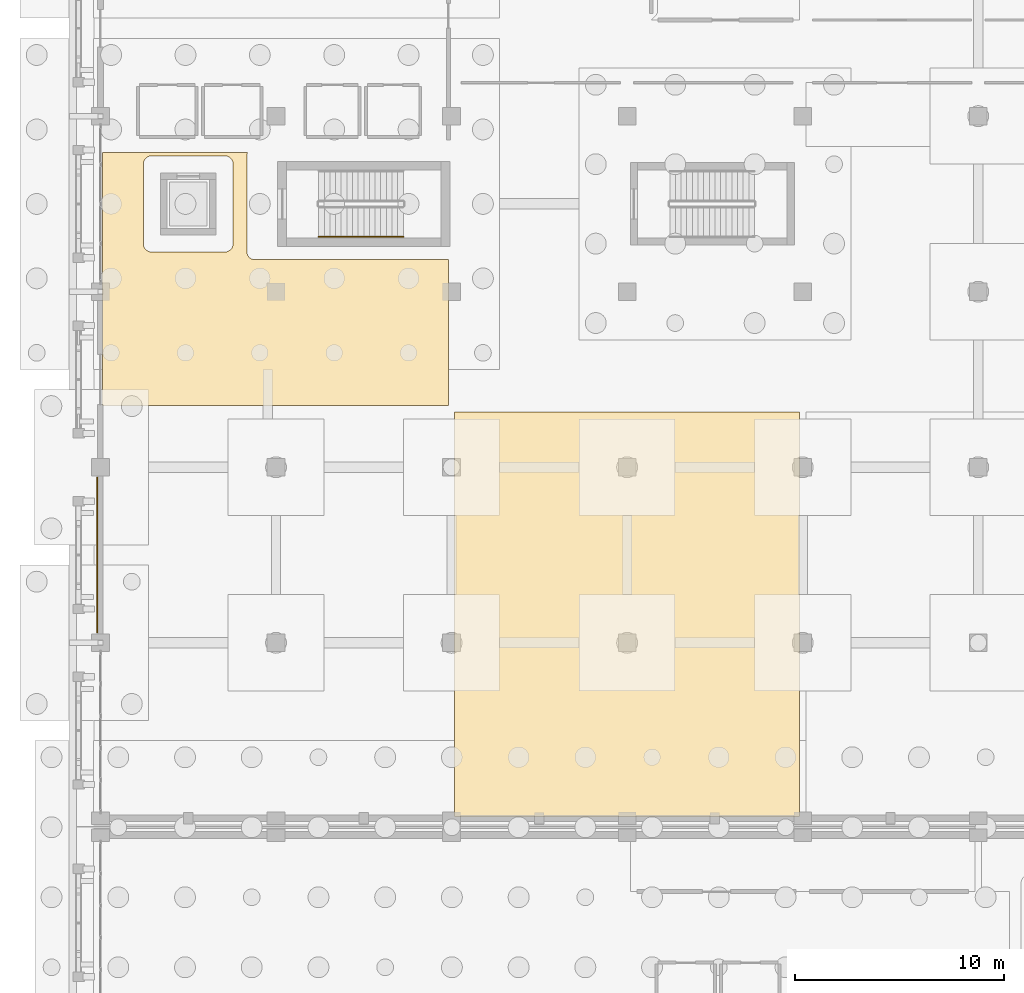
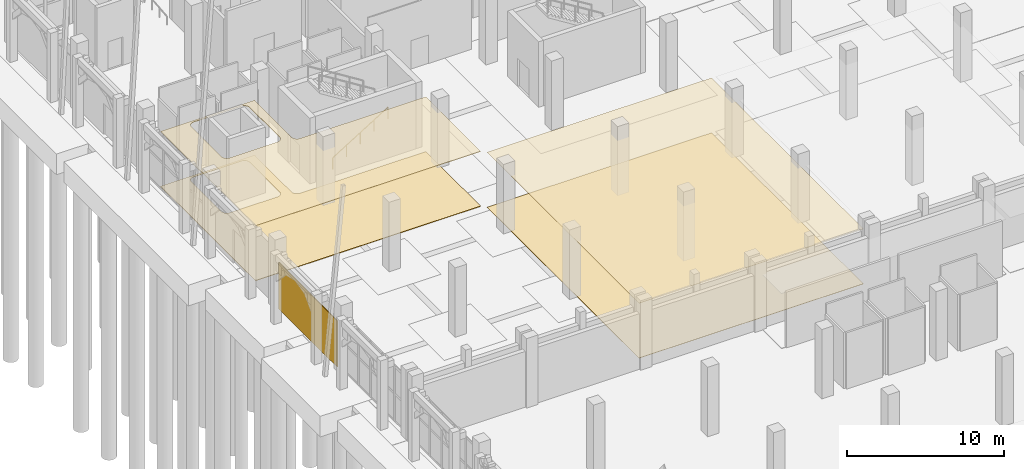
# One storey, part 86 of 98: 5 coverings, 1 railing.
"""IFC4 building model written with IfcOpenShell, lengths in metres."""

from ifc_helpers import new_model, si_unit, direction, frame, origin, origin_2d, place, context, subcontext, project, spatial, polyline, rectangle, circle, outline, extrude, material, layer, layer_set, type_object, element, save


model = new_model("IFC4")

# Units and contexts
model_context = context("Model", 3, precision=1e-05, world=origin(), true_north=direction((0.0, 1.0)))
body_context = subcontext(model_context, "Body", "Model", "MODEL_VIEW")
ifc_project = project(units=[si_unit("LENGTHUNIT", "METRE"), si_unit("AREAUNIT", "SQUARE_METRE"), si_unit("VOLUMEUNIT", "CUBIC_METRE"), si_unit("PLANEANGLEUNIT", "RADIAN"), si_unit("MASSUNIT", "GRAM", prefix="KILO")], contexts=[model_context])

# Site, building, storey
site_placement = place(None, origin())
site = spatial("IfcSite", under=ifc_project, at=site_placement, CompositionType="ELEMENT")
building_placement = place(site_placement, origin())
building = spatial("IfcBuilding", under=site, at=building_placement, Name="Xazarin Passage Department Store", CompositionType="ELEMENT")
storey_placement = place(building_placement, origin())
storey = spatial("IfcBuildingStorey", under=building, at=storey_placement, Name="L00", CompositionType="ELEMENT", Elevation=0.0)

# Coverings
ifc_material_1 = material(Name="Absheron limestone cladding", Category="masonry")
ifc_layer_1 = layer(ifc_material_1, 0.06005859375)
ifc_layer_set_1 = layer_set([ifc_layer_1], Name="Absheron limestone cladding")
covering_type_1 = type_object("IfcCoveringType", Name="ARC-COV-CLD060", PredefinedType="CLADDING", material=ifc_layer_set_1)
covering_1_placement = place(storey_placement, frame((-0.14990234375, 63.800048828125, 0.0), z_axis=(0.0, 0.0, 1.0), x_axis=(0.0, 1.0, 0.0)))
element("IfcCovering", 1, at=covering_1_placement, inside=storey, type_object=covering_type_1, Name="L00 Absheron Limestone Plinth Cladding 014", PredefinedType="CLADDING", context=body_context, shape_type="SweptSolid", body=[
    extrude(rectangle(XDim=7.449951171875, YDim=0.06005859375, at=origin_2d()), origin(), (0.0, 0.0, 1.0), 3.60009765625),
])
ifc_material_2 = material(Name="Acoustic mineral ceiling")
ifc_layer_2 = layer(ifc_material_2, 0.030029296875)
ifc_layer_set_2 = layer_set([ifc_layer_2], Name="Acoustic mineral ceiling")
covering_type_2 = type_object("IfcCoveringType", Name="ARC-COV-CLG030", PredefinedType="CEILING", material=ifc_layer_set_2)
covering_2_placement = place(storey_placement, frame((0.0, 0.0, 4.27001953125)))
element("IfcCovering", 2, at=covering_2_placement, inside=storey, type_object=covering_type_2, Name="L00 Sales Floor Acoustic Ceiling", PredefinedType="CEILING", context=body_context, shape_type="SweptSolid", body=[
    extrude(outline(polyline([(16.949951171875, 51.300048828125), (33.449951171875, 51.300048828125), (33.449951171875, 70.64990234375), (16.949951171875, 70.64990234375), (16.949951171875, 51.300048828125)])), origin(), (0.0, 0.0, 1.0), 0.030029296875),
])
ifc_layer_3 = layer(ifc_material_2, 0.0400390625)
ifc_layer_set_3 = layer_set([ifc_layer_3], Name="Acoustic mineral ceiling")
covering_type_3 = type_object("IfcCoveringType", Name="ARC-COV-CLG040", PredefinedType="CEILING", material=ifc_layer_set_3)
covering_3_placement = place(storey_placement, frame((0.0, 0.0, 4.260009765625)))
element("IfcCovering", 3, at=covering_3_placement, inside=storey, type_object=covering_type_3, Name="L00 Perfume and Jewellery Salon Acoustic Ceiling", PredefinedType="CEILING", context=body_context, shape_type="SweptSolid", body=[
    extrude(outline(polyline([(16.64990234375, 77.929931640625), (7.39990234375, 77.929931640625), (7.36083984375, 77.931884765625), (7.322021484375, 77.937744140625), (7.283935546875, 77.947265625), (7.246826171875, 77.96044921875), (7.21142578125, 77.977294921875), (7.177734375, 77.997314453125), (7.146240234375, 78.020751953125), (7.1171875, 78.047119140625), (7.0908203125, 78.076171875), (7.0673828125, 78.10791015625), (7.047119140625, 78.141357421875), (7.030517578125, 78.177001953125), (7.01708984375, 78.2138671875), (7.0078125, 78.251953125), (7.001953125, 78.290771484375), (7.0, 78.330078125), (7.0, 82.8701171875), (7.001953125, 82.9091796875), (7.0078125, 82.947998046875), (7.01708984375, 82.986083984375), (7.030517578125, 83.023193359375), (7.043212890625, 83.050048828125), (0.10009765625, 83.050048828125), (0.10009765625, 70.949951171875), (16.64990234375, 70.949951171875), (16.64990234375, 77.929931640625)]), holes=[polyline([(2.449951171875, 78.300048828125), (2.410888671875, 78.302001953125), (2.3720703125, 78.3076171875), (2.333984375, 78.317138671875), (2.296875, 78.330322265625), (2.261474609375, 78.34716796875), (2.227783203125, 78.367431640625), (2.1962890625, 78.390869140625), (2.167236328125, 78.417236328125), (2.140869140625, 78.4462890625), (2.117431640625, 78.477783203125), (2.09716796875, 78.511474609375), (2.080322265625, 78.546875), (2.067138671875, 78.583984375), (2.0576171875, 78.6220703125), (2.052001953125, 78.660888671875), (2.050048828125, 78.699951171875), (2.050048828125, 82.5), (2.052001953125, 82.539306640625), (2.0576171875, 82.577880859375), (2.067138671875, 82.6162109375), (2.080322265625, 82.653076171875), (2.09716796875, 82.688720703125), (2.117431640625, 82.72216796875), (2.140869140625, 82.75390625), (2.167236328125, 82.78271484375), (2.1962890625, 82.80908203125), (2.227783203125, 82.83251953125), (2.261474609375, 82.852783203125), (2.296875, 82.86962890625), (2.333984375, 82.8828125), (2.3720703125, 82.892333984375), (2.410888671875, 82.898193359375), (2.449951171875, 82.89990234375), (5.949951171875, 82.89990234375), (5.9892578125, 82.898193359375), (6.028076171875, 82.892333984375), (6.066162109375, 82.8828125), (6.10302734375, 82.86962890625), (6.138671875, 82.852783203125), (6.172119140625, 82.83251953125), (6.203857421875, 82.80908203125), (6.23291015625, 82.78271484375), (6.25927734375, 82.75390625), (6.28271484375, 82.72216796875), (6.302734375, 82.688720703125), (6.319580078125, 82.653076171875), (6.332763671875, 82.6162109375), (6.34228515625, 82.577880859375), (6.34814453125, 82.539306640625), (6.35009765625, 82.5), (6.35009765625, 78.699951171875), (6.34814453125, 78.660888671875), (6.34228515625, 78.6220703125), (6.332763671875, 78.583984375), (6.319580078125, 78.546875), (6.302734375, 78.511474609375), (6.28271484375, 78.477783203125), (6.25927734375, 78.4462890625), (6.23291015625, 78.417236328125), (6.203857421875, 78.390869140625), (6.172119140625, 78.367431640625), (6.138671875, 78.34716796875), (6.10302734375, 78.330322265625), (6.066162109375, 78.317138671875), (6.028076171875, 78.3076171875), (5.9892578125, 78.302001953125), (5.949951171875, 78.300048828125), (2.449951171875, 78.300048828125)])]), origin(), (0.0, 0.0, 1.0), 0.0400390625),
])
ifc_material_3 = material(Name="Terrazzo stone flooring", Category="masonry")
ifc_layer_4 = layer(ifc_material_3, 0.02490234375)
ifc_layer_set_4 = layer_set([ifc_layer_4], Name="Terrazzo stone flooring")
covering_type_4 = type_object("IfcCoveringType", Name="ARC-COV-FLR025", PredefinedType="FLOORING", material=ifc_layer_set_4)
covering_4_placement = place(storey_placement, origin())
element("IfcCovering", 4, at=covering_4_placement, inside=storey, type_object=covering_type_4, Name="L00 Sales Floor Terrazzo Flooring", PredefinedType="FLOORING", context=body_context, shape_type="SweptSolid", body=[
    extrude(outline(polyline([(16.949951171875, 51.300048828125), (33.449951171875, 51.300048828125), (33.449951171875, 70.64990234375), (16.949951171875, 70.64990234375), (16.949951171875, 51.300048828125)])), origin(), (0.0, 0.0, 1.0), 0.02490234375),
])
ifc_layer_5 = layer(ifc_material_3, 0.034912109375)
ifc_layer_set_5 = layer_set([ifc_layer_5], Name="Terrazzo stone flooring")
covering_type_5 = type_object("IfcCoveringType", Name="ARC-COV-FLR035", PredefinedType="FLOORING", material=ifc_layer_set_5)
covering_5_placement = place(storey_placement, origin())
element("IfcCovering", 5, at=covering_5_placement, inside=storey, type_object=covering_type_5, Name="L00 Perfume and Jewellery Salon Terrazzo Flooring", PredefinedType="FLOORING", context=body_context, shape_type="SweptSolid", body=[
    extrude(outline(polyline([(16.64990234375, 77.929931640625), (7.39990234375, 77.929931640625), (7.36083984375, 77.931884765625), (7.322021484375, 77.937744140625), (7.283935546875, 77.947265625), (7.246826171875, 77.96044921875), (7.21142578125, 77.977294921875), (7.177734375, 77.997314453125), (7.146240234375, 78.020751953125), (7.1171875, 78.047119140625), (7.0908203125, 78.076171875), (7.0673828125, 78.10791015625), (7.047119140625, 78.141357421875), (7.030517578125, 78.177001953125), (7.01708984375, 78.2138671875), (7.0078125, 78.251953125), (7.001953125, 78.290771484375), (7.0, 78.330078125), (7.0, 82.8701171875), (7.001953125, 82.9091796875), (7.0078125, 82.947998046875), (7.01708984375, 82.986083984375), (7.030517578125, 83.023193359375), (7.043212890625, 83.050048828125), (0.10009765625, 83.050048828125), (0.10009765625, 70.949951171875), (16.64990234375, 70.949951171875), (16.64990234375, 77.929931640625)]), holes=[polyline([(2.449951171875, 78.300048828125), (2.410888671875, 78.302001953125), (2.3720703125, 78.3076171875), (2.333984375, 78.317138671875), (2.296875, 78.330322265625), (2.261474609375, 78.34716796875), (2.227783203125, 78.367431640625), (2.1962890625, 78.390869140625), (2.167236328125, 78.417236328125), (2.140869140625, 78.4462890625), (2.117431640625, 78.477783203125), (2.09716796875, 78.511474609375), (2.080322265625, 78.546875), (2.067138671875, 78.583984375), (2.0576171875, 78.6220703125), (2.052001953125, 78.660888671875), (2.050048828125, 78.699951171875), (2.050048828125, 82.5), (2.052001953125, 82.539306640625), (2.0576171875, 82.577880859375), (2.067138671875, 82.6162109375), (2.080322265625, 82.653076171875), (2.09716796875, 82.688720703125), (2.117431640625, 82.72216796875), (2.140869140625, 82.75390625), (2.167236328125, 82.78271484375), (2.1962890625, 82.80908203125), (2.227783203125, 82.83251953125), (2.261474609375, 82.852783203125), (2.296875, 82.86962890625), (2.333984375, 82.8828125), (2.3720703125, 82.892333984375), (2.410888671875, 82.898193359375), (2.449951171875, 82.89990234375), (5.949951171875, 82.89990234375), (5.9892578125, 82.898193359375), (6.028076171875, 82.892333984375), (6.066162109375, 82.8828125), (6.10302734375, 82.86962890625), (6.138671875, 82.852783203125), (6.172119140625, 82.83251953125), (6.203857421875, 82.80908203125), (6.23291015625, 82.78271484375), (6.25927734375, 82.75390625), (6.28271484375, 82.72216796875), (6.302734375, 82.688720703125), (6.319580078125, 82.653076171875), (6.332763671875, 82.6162109375), (6.34228515625, 82.577880859375), (6.34814453125, 82.539306640625), (6.35009765625, 82.5), (6.35009765625, 78.699951171875), (6.34814453125, 78.660888671875), (6.34228515625, 78.6220703125), (6.332763671875, 78.583984375), (6.319580078125, 78.546875), (6.302734375, 78.511474609375), (6.28271484375, 78.477783203125), (6.25927734375, 78.4462890625), (6.23291015625, 78.417236328125), (6.203857421875, 78.390869140625), (6.172119140625, 78.367431640625), (6.138671875, 78.34716796875), (6.10302734375, 78.330322265625), (6.066162109375, 78.317138671875), (6.028076171875, 78.3076171875), (5.9892578125, 78.302001953125), (5.949951171875, 78.300048828125), (2.449951171875, 78.300048828125)])]), origin(), (0.0, 0.0, 1.0), 0.034912109375),
])

# Railing
ifc_material_4 = material(Name="Steel S355", Category="steel")
railing_type = type_object("IfcRailingType", Name="ARC-RL-HND090", PredefinedType="HANDRAIL", material=ifc_material_4)
railing_placement = place(storey_placement, frame((10.43994140625, 79.030029296875, 0.168701171875)))
element("IfcRailing", 6, at=railing_placement, inside=storey, type_object=railing_type, Name="L00 ST1 stair handrail 1", PredefinedType="HANDRAIL", context=body_context, shape_type="SweptSolid", body=[
    extrude(circle(Radius=0.02392578125, at=origin_2d()), frame((0.0, 0.0, 0.8759765625), z_axis=(0.848001175806, 0.0, 0.529994345094), x_axis=(0.0, 1.0, 0.0)), (0.0, 0.0, 1.0), 4.77587890625),
    extrude(circle(Radius=0.02099609375, at=origin_2d()), origin(), (0.0, 0.0, 1.0), 0.8515625),
    extrude(circle(Radius=0.02099609375, at=origin_2d()), frame((1.012451171875, 0.0, 0.6328125)), (0.0, 0.0, 1.0), 0.8515625),
    extrude(circle(Radius=0.02099609375, at=origin_2d()), frame((2.02490234375, 0.0, 1.265625)), (0.0, 0.0, 1.0), 0.8515625),
    extrude(circle(Radius=0.02099609375, at=origin_2d()), frame((3.03759765625, 0.0, 1.8984375)), (0.0, 0.0, 1.0), 0.8515625),
    extrude(circle(Radius=0.02099609375, at=origin_2d()), frame((4.050048828125, 0.0, 2.53125)), (0.0, 0.0, 1.0), 0.8515625),
])

save(model, "model.ifc")
